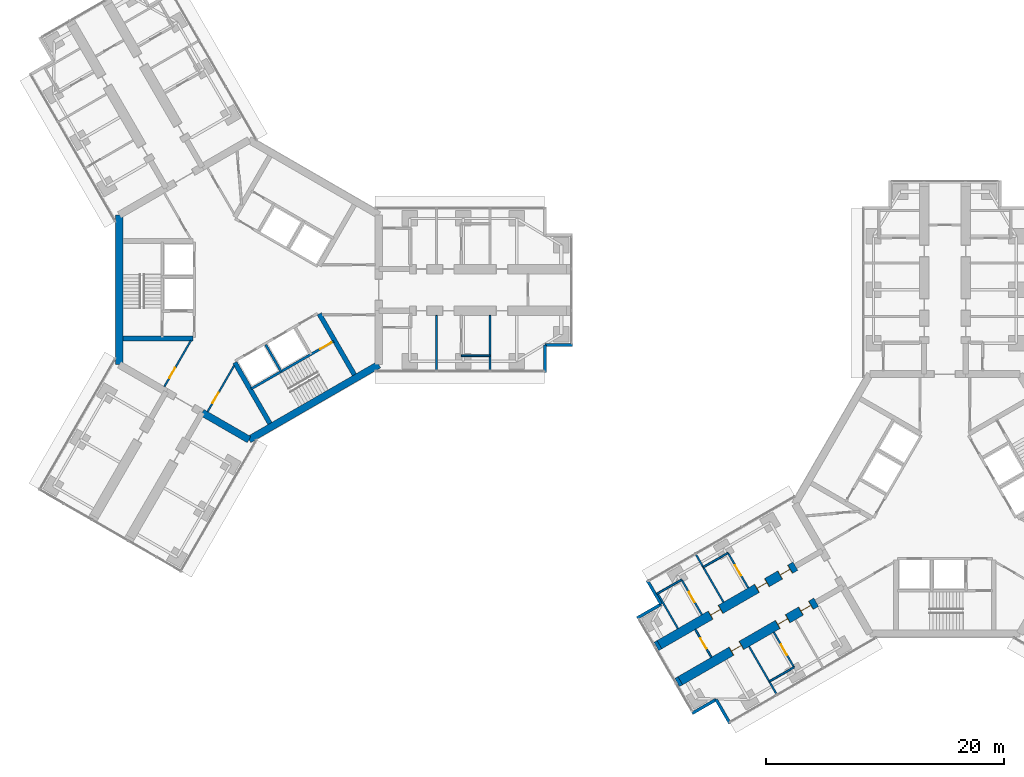
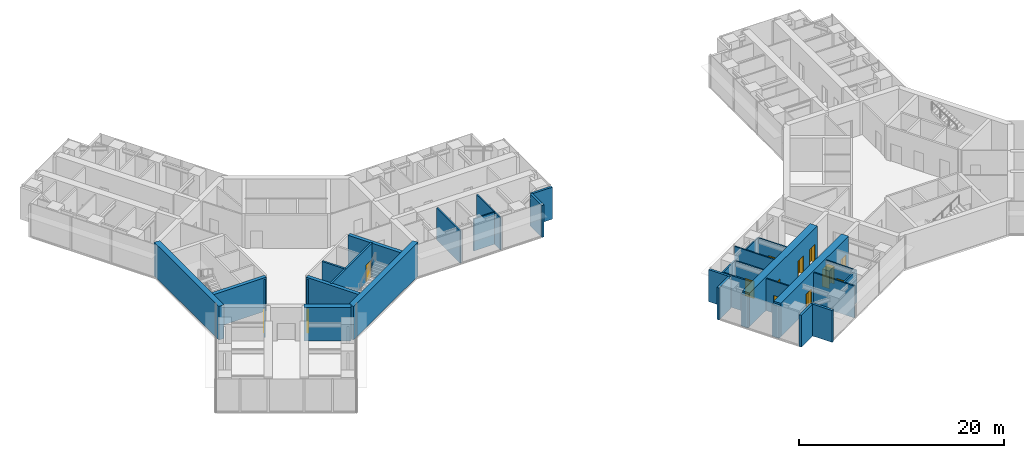
# One storey, part 15 of 22: 33 walls, 13 doors, 13 openings.
"""IFC4 building model written with IfcOpenShell, lengths in metres."""

from ifc_helpers import new_model, si_unit, direction, frame, frame_2d, origin, place, context, subcontext, project, spatial, rectangle, extrude, material, layer, layer_set, type_object, element, fill, save


model = new_model("IFC4")

# Units and contexts
model_context = context("Model", 3, precision=1e-05, world=origin(), true_north=direction((0.0, 1.0)))
body_context = subcontext(model_context, "Body", "Model", "MODEL_VIEW")
ifc_project = project(units=[si_unit("LENGTHUNIT", "METRE"), si_unit("AREAUNIT", "SQUARE_METRE"), si_unit("VOLUMEUNIT", "CUBIC_METRE"), si_unit("PLANEANGLEUNIT", "RADIAN"), si_unit("MASSUNIT", "GRAM", prefix="KILO")], contexts=[model_context])

# Site, building, storey
site_placement = place(None, origin())
site = spatial("IfcSite", under=ifc_project, at=site_placement, CompositionType="ELEMENT")
building_placement = place(site_placement, origin())
building = spatial("IfcBuilding", under=site, at=building_placement, Name="Upepo Twin Towers", CompositionType="ELEMENT")
storey_placement = place(building_placement, frame((0.0, 0.0, 137.5)))
storey = spatial("IfcBuildingStorey", under=building, at=storey_placement, Name="L33", CompositionType="ELEMENT", Elevation=137.5)

# Walls
ifc_material_1 = material(Name="Dense concrete blockwork", Category="masonry")
ifc_layer_1 = layer(ifc_material_1, 0.800048828125)
ifc_layer_set_1 = layer_set([ifc_layer_1], Name="Buttress closer 800, blockwork with fire-stopping to the curtain wall")
wall_type_1 = type_object("IfcWallType", Name="Buttress closer 800, blockwork with fire-stopping to the curtain wall", PredefinedType="PARTITIONING", material=ifc_layer_set_1)
wall_1_placement = place(storey_placement, frame((36.252197265625, -32.865478515625, 0.0), z_axis=(0.0, 0.0, 1.0), x_axis=(-0.865778900179, -0.500426713919, 0.0)))
element("IfcWall", 1, at=wall_1_placement, inside=storey, type_object=wall_type_1, Name="T2 L33 wing B buttress closer L", PredefinedType="PARTITIONING", context=body_context, shape_type="SweptSolid", body=[
    extrude(rectangle(XDim=0.300048828125, YDim=0.800048828125, at=frame_2d((0.14990234375, 0.0))), origin(), (0.0, 0.0, 1.0), 3.800048828125),
])
wall_2_placement = place(storey_placement, frame((34.502197265625, -29.83447265625, 0.0), z_axis=(0.0, 0.0, 1.0), x_axis=(-0.866131372301, -0.499816412211, 0.0)))
element("IfcWall", 2, at=wall_2_placement, inside=storey, type_object=wall_type_1, Name="T2 L33 wing B buttress closer R", PredefinedType="PARTITIONING", context=body_context, shape_type="SweptSolid", body=[
    extrude(rectangle(XDim=0.2998046875, YDim=0.800048828125, at=frame_2d((0.14990234375, 0.0))), origin(), (0.0, 0.0, 1.0), 3.800048828125),
])

# Wall, openings, doors
ifc_material_2 = material(Name="Concrete C60/75", Category="concrete")
ifc_layer_2 = layer(ifc_material_2, 0.800048828125)
ifc_layer_set_2 = layer_set([ifc_layer_2], Name="Concrete C60/75")
wall_type_2 = type_object("IfcWallType", Name="Buttress wall 800 RC", PredefinedType="SHEAR", material=ifc_layer_set_2)
wall_3_placement = place(storey_placement, frame((47.68359375, -26.265625, 0.0), z_axis=(0.0, 0.0, 1.0), x_axis=(-0.866027579429, -0.499996231654, 0.0)))
wall_3 = element("IfcWall", 3, at=wall_3_placement, inside=storey, type_object=wall_type_2, Name="T2 wing B buttress wall L part 2", PredefinedType="SHEAR", context=body_context, shape_type="SweptSolid", body=[
    extrude(rectangle(XDim=13.19970703125, YDim=0.800048828125, at=frame_2d((6.599853515625, 0.0))), origin(), (0.0, 0.0, 1.0), 4.0),
])
opening_1_placement = place(wall_3_placement, frame((0.5, 0.0, 0.0)))
opening_1 = element("IfcOpeningElement", 4, at=opening_1_placement, cuts=wall_3, Name="Opening D1", PredefinedType="OPENING", context=body_context, shape_type="SweptSolid", body=[
    extrude(rectangle(XDim=1.0, YDim=2.10009765625, at=frame_2d((0.5, 1.050048828125))), frame((0.0, 0.409912109375, 0.0), z_axis=(0.0, -1.0, 0.0), x_axis=(1.0, 0.0, 0.0)), (0.0, 0.0, 1.0), 0.820068359375),
])
opening_2_placement = place(wall_3_placement, frame((2.75, 0.0, 0.0)))
opening_2 = element("IfcOpeningElement", 5, at=opening_2_placement, cuts=wall_3, Name="Opening D1", PredefinedType="OPENING", context=body_context, shape_type="SweptSolid", body=[
    extrude(rectangle(XDim=1.0, YDim=2.10009765625, at=frame_2d((0.5, 1.050048828125))), frame((0.0, 0.409912109375, 0.0), z_axis=(0.0, -1.0, 0.0), x_axis=(1.0, 0.0, 0.0)), (0.0, 0.0, 1.0), 0.820068359375),
])
opening_3_placement = place(wall_3_placement, frame((7.25, 0.0, 0.0)))
opening_3 = element("IfcOpeningElement", 6, at=opening_3_placement, cuts=wall_3, Name="Opening D1", PredefinedType="OPENING", context=body_context, shape_type="SweptSolid", body=[
    extrude(rectangle(XDim=1.0, YDim=2.10009765625, at=frame_2d((0.5, 1.050048828125))), frame((0.0, 0.409912109375, 0.0), z_axis=(0.0, -1.0, 0.0), x_axis=(1.0, 0.0, 0.0)), (0.0, 0.0, 1.0), 0.820068359375),
])
ifc_material_3 = material(Name="Timber doorset", Category="wood")
door_type_1 = type_object("IfcDoorType", Name="Room door 1000 FD30", OperationType="SINGLE_SWING_LEFT", PredefinedType="DOOR", material=ifc_material_3)
door_1_placement = place(opening_1_placement, origin())
door_1 = element("IfcDoor", 7, at=door_1_placement, inside=storey, type_object=door_type_1, Name="T2 L33 tutorial room door", OperationType="SINGLE_SWING_LEFT", OverallHeight=2.10009765625, OverallWidth=1.0, PredefinedType="DOOR", context=body_context, shape_type="SweptSolid", body=[
    extrude(rectangle(XDim=0.92, YDim=2.06009765625, at=frame_2d((0.5, 1.030029296875))), frame((0.0, 0.02490234375, 0.0), z_axis=(0.0, -1.0, 0.0), x_axis=(1.0, 0.0, 0.0)), (0.0, 0.0, 1.0), 0.050048828125),
    extrude(rectangle(XDim=0.04, YDim=2.10009765625, at=frame_2d((0.02001953125, 1.050048828125))), frame((0.0, 0.39990234375, 0.0), z_axis=(0.0, -1.0, 0.0), x_axis=(1.0, 0.0, 0.0)), (0.0, 0.0, 1.0), 0.799560546875),
    extrude(rectangle(XDim=0.04, YDim=2.10009765625, at=frame_2d((0.97998046875, 1.050048828125))), frame((0.0, 0.39990234375, 0.0), z_axis=(0.0, -1.0, 0.0), x_axis=(1.0, 0.0, 0.0)), (0.0, 0.0, 1.0), 0.799560546875),
    extrude(rectangle(XDim=0.92, YDim=0.04, at=frame_2d((0.5, 2.080078125))), frame((0.0, 0.39990234375, 0.0), z_axis=(0.0, -1.0, 0.0), x_axis=(1.0, 0.0, 0.0)), (0.0, 0.0, 1.0), 0.799560546875),
])
fill(opening_1, door_1)
door_2_placement = place(opening_2_placement, origin())
door_2 = element("IfcDoor", 8, at=door_2_placement, inside=storey, type_object=door_type_1, Name="T2 L33 staff office door", OperationType="SINGLE_SWING_LEFT", OverallHeight=2.10009765625, OverallWidth=1.0, PredefinedType="DOOR", context=body_context, shape_type="SweptSolid", body=[
    extrude(rectangle(XDim=0.92, YDim=2.06009765625, at=frame_2d((0.5, 1.030029296875))), frame((0.0, 0.02490234375, 0.0), z_axis=(0.0, -1.0, 0.0), x_axis=(1.0, 0.0, 0.0)), (0.0, 0.0, 1.0), 0.050048828125),
    extrude(rectangle(XDim=0.04, YDim=2.10009765625, at=frame_2d((0.02001953125, 1.050048828125))), frame((0.0, 0.39990234375, 0.0), z_axis=(0.0, -1.0, 0.0), x_axis=(1.0, 0.0, 0.0)), (0.0, 0.0, 1.0), 0.799560546875),
    extrude(rectangle(XDim=0.04, YDim=2.10009765625, at=frame_2d((0.97998046875, 1.050048828125))), frame((0.0, 0.39990234375, 0.0), z_axis=(0.0, -1.0, 0.0), x_axis=(1.0, 0.0, 0.0)), (0.0, 0.0, 1.0), 0.799560546875),
    extrude(rectangle(XDim=0.92, YDim=0.04, at=frame_2d((0.5, 2.080078125))), frame((0.0, 0.39990234375, 0.0), z_axis=(0.0, -1.0, 0.0), x_axis=(1.0, 0.0, 0.0)), (0.0, 0.0, 1.0), 0.799560546875),
])
fill(opening_2, door_2)
door_3_placement = place(opening_3_placement, origin())
door_3 = element("IfcDoor", 9, at=door_3_placement, inside=storey, type_object=door_type_1, Name="T2 L33 seminar room door", OperationType="SINGLE_SWING_RIGHT", OverallHeight=2.10009765625, OverallWidth=1.0, PredefinedType="DOOR", context=body_context, shape_type="SweptSolid", body=[
    extrude(rectangle(XDim=0.92, YDim=2.06009765625, at=frame_2d((0.5, 1.030029296875))), frame((0.0, 0.02490234375, 0.0), z_axis=(0.0, -1.0, 0.0), x_axis=(1.0, 0.0, 0.0)), (0.0, 0.0, 1.0), 0.050048828125),
    extrude(rectangle(XDim=0.04, YDim=2.10009765625, at=frame_2d((0.02001953125, 1.050048828125))), frame((0.0, 0.39990234375, 0.0), z_axis=(0.0, -1.0, 0.0), x_axis=(1.0, 0.0, 0.0)), (0.0, 0.0, 1.0), 0.799560546875),
    extrude(rectangle(XDim=0.04, YDim=2.10009765625, at=frame_2d((0.97998046875, 1.050048828125))), frame((0.0, 0.39990234375, 0.0), z_axis=(0.0, -1.0, 0.0), x_axis=(1.0, 0.0, 0.0)), (0.0, 0.0, 1.0), 0.799560546875),
    extrude(rectangle(XDim=0.92, YDim=0.04, at=frame_2d((0.5, 2.080078125))), frame((0.0, 0.39990234375, 0.0), z_axis=(0.0, -1.0, 0.0), x_axis=(1.0, 0.0, 0.0)), (0.0, 0.0, 1.0), 0.799560546875),
])
fill(opening_3, door_3)

wall_4_placement = place(storey_placement, frame((45.93359375, -23.234375, 0.0), z_axis=(0.0, 0.0, 1.0), x_axis=(-0.866019570528, -0.500010103361, 0.0)))
wall_4 = element("IfcWall", 10, at=wall_4_placement, inside=storey, type_object=wall_type_2, Name="T2 wing B buttress wall R part 2", PredefinedType="SHEAR", context=body_context, shape_type="SweptSolid", body=[
    extrude(rectangle(XDim=13.199951171875, YDim=0.800048828125, at=frame_2d((6.60009765625, 0.0))), origin(), (0.0, 0.0, 1.0), 4.0),
])
opening_4_placement = place(wall_4_placement, frame((0.5, 0.0, 0.0)))
opening_4 = element("IfcOpeningElement", 11, at=opening_4_placement, cuts=wall_4, Name="Opening D1", PredefinedType="OPENING", context=body_context, shape_type="SweptSolid", body=[
    extrude(rectangle(XDim=1.0, YDim=2.10009765625, at=frame_2d((0.5, 1.050048828125))), frame((0.0, 0.409912109375, 0.0), z_axis=(0.0, -1.0, 0.0), x_axis=(1.0, 0.0, 0.0)), (0.0, 0.0, 1.0), 0.820068359375),
])
opening_5_placement = place(wall_4_placement, frame((2.75, 0.0, 0.0)))
opening_5 = element("IfcOpeningElement", 12, at=opening_5_placement, cuts=wall_4, Name="Opening D1", PredefinedType="OPENING", context=body_context, shape_type="SweptSolid", body=[
    extrude(rectangle(XDim=1.0, YDim=2.10009765625, at=frame_2d((0.5, 1.050048828125))), frame((0.0, 0.409912109375, 0.0), z_axis=(0.0, -1.0, 0.0), x_axis=(1.0, 0.0, 0.0)), (0.0, 0.0, 1.0), 0.820068359375),
])
opening_6_placement = place(wall_4_placement, frame((7.25, 0.0, 0.0)))
opening_6 = element("IfcOpeningElement", 13, at=opening_6_placement, cuts=wall_4, Name="Opening D1", PredefinedType="OPENING", context=body_context, shape_type="SweptSolid", body=[
    extrude(rectangle(XDim=1.0, YDim=2.10009765625, at=frame_2d((0.5, 1.050048828125))), frame((0.0, 0.409912109375, 0.0), z_axis=(0.0, -1.0, 0.0), x_axis=(1.0, 0.0, 0.0)), (0.0, 0.0, 1.0), 0.820068359375),
])
door_4_placement = place(opening_4_placement, origin())
door_4 = element("IfcDoor", 14, at=door_4_placement, inside=storey, type_object=door_type_1, Name="T2 L33 law clinic door", OperationType="SINGLE_SWING_LEFT", OverallHeight=2.10009765625, OverallWidth=1.0, PredefinedType="DOOR", context=body_context, shape_type="SweptSolid", body=[
    extrude(rectangle(XDim=0.92, YDim=2.06009765625, at=frame_2d((0.5, 1.030029296875))), frame((0.0, 0.02490234375, 0.0), z_axis=(0.0, -1.0, 0.0), x_axis=(1.0, 0.0, 0.0)), (0.0, 0.0, 1.0), 0.050048828125),
    extrude(rectangle(XDim=0.04, YDim=2.10009765625, at=frame_2d((0.02001953125, 1.050048828125))), frame((0.0, 0.39990234375, 0.0), z_axis=(0.0, -1.0, 0.0), x_axis=(1.0, 0.0, 0.0)), (0.0, 0.0, 1.0), 0.799560546875),
    extrude(rectangle(XDim=0.04, YDim=2.10009765625, at=frame_2d((0.97998046875, 1.050048828125))), frame((0.0, 0.39990234375, 0.0), z_axis=(0.0, -1.0, 0.0), x_axis=(1.0, 0.0, 0.0)), (0.0, 0.0, 1.0), 0.799560546875),
    extrude(rectangle(XDim=0.92, YDim=0.04, at=frame_2d((0.5, 2.080078125))), frame((0.0, 0.39990234375, 0.0), z_axis=(0.0, -1.0, 0.0), x_axis=(1.0, 0.0, 0.0)), (0.0, 0.0, 1.0), 0.799560546875),
])
fill(opening_4, door_4)
door_5_placement = place(opening_5_placement, origin())
door_5 = element("IfcDoor", 15, at=door_5_placement, inside=storey, type_object=door_type_1, Name="T2 L33 law clinic door", OperationType="SINGLE_SWING_LEFT", OverallHeight=2.10009765625, OverallWidth=1.0, PredefinedType="DOOR", context=body_context, shape_type="SweptSolid", body=[
    extrude(rectangle(XDim=0.92, YDim=2.06009765625, at=frame_2d((0.5, 1.030029296875))), frame((0.0, 0.02490234375, 0.0), z_axis=(0.0, -1.0, 0.0), x_axis=(1.0, 0.0, 0.0)), (0.0, 0.0, 1.0), 0.050048828125),
    extrude(rectangle(XDim=0.04, YDim=2.10009765625, at=frame_2d((0.02001953125, 1.050048828125))), frame((0.0, 0.39990234375, 0.0), z_axis=(0.0, -1.0, 0.0), x_axis=(1.0, 0.0, 0.0)), (0.0, 0.0, 1.0), 0.799560546875),
    extrude(rectangle(XDim=0.04, YDim=2.10009765625, at=frame_2d((0.97998046875, 1.050048828125))), frame((0.0, 0.39990234375, 0.0), z_axis=(0.0, -1.0, 0.0), x_axis=(1.0, 0.0, 0.0)), (0.0, 0.0, 1.0), 0.799560546875),
    extrude(rectangle(XDim=0.92, YDim=0.04, at=frame_2d((0.5, 2.080078125))), frame((0.0, 0.39990234375, 0.0), z_axis=(0.0, -1.0, 0.0), x_axis=(1.0, 0.0, 0.0)), (0.0, 0.0, 1.0), 0.799560546875),
])
fill(opening_5, door_5)
door_6_placement = place(opening_6_placement, origin())
door_6 = element("IfcDoor", 16, at=door_6_placement, inside=storey, type_object=door_type_1, Name="T2 L33 tutorial room door", OperationType="SINGLE_SWING_RIGHT", OverallHeight=2.10009765625, OverallWidth=1.0, PredefinedType="DOOR", context=body_context, shape_type="SweptSolid", body=[
    extrude(rectangle(XDim=0.92, YDim=2.06009765625, at=frame_2d((0.5, 1.030029296875))), frame((0.0, 0.02490234375, 0.0), z_axis=(0.0, -1.0, 0.0), x_axis=(1.0, 0.0, 0.0)), (0.0, 0.0, 1.0), 0.050048828125),
    extrude(rectangle(XDim=0.04, YDim=2.10009765625, at=frame_2d((0.02001953125, 1.050048828125))), frame((0.0, 0.39990234375, 0.0), z_axis=(0.0, -1.0, 0.0), x_axis=(1.0, 0.0, 0.0)), (0.0, 0.0, 1.0), 0.799560546875),
    extrude(rectangle(XDim=0.04, YDim=2.10009765625, at=frame_2d((0.97998046875, 1.050048828125))), frame((0.0, 0.39990234375, 0.0), z_axis=(0.0, -1.0, 0.0), x_axis=(1.0, 0.0, 0.0)), (0.0, 0.0, 1.0), 0.799560546875),
    extrude(rectangle(XDim=0.92, YDim=0.04, at=frame_2d((0.5, 2.080078125))), frame((0.0, 0.39990234375, 0.0), z_axis=(0.0, -1.0, 0.0), x_axis=(1.0, 0.0, 0.0)), (0.0, 0.0, 1.0), 0.799560546875),
])
fill(opening_6, door_6)

# Walls
ifc_material_4 = material(Name="Concrete C60/75", Category="concrete")
ifc_layer_3 = layer(ifc_material_4, 0.60009765625)
ifc_layer_set_3 = layer_set([ifc_layer_3], Name="Concrete C60/75")
wall_type_3 = type_object("IfcWallType", Name="Core wall 600 RC", PredefinedType="SHEAR", material=ifc_layer_set_3)
wall_5_placement = place(storey_placement, frame((-10.908447265625, 6.2978515625, 0.0), z_axis=(0.0, 0.0, 1.0), x_axis=(0.0, -1.0, 0.0)))
element("IfcWall", 17, at=wall_5_placement, inside=storey, type_object=wall_type_3, Name="T1 core wall 180", PredefinedType="SHEAR", context=body_context, shape_type="SweptSolid", body=[
    extrude(rectangle(XDim=12.595703125, YDim=0.60009765625, at=frame_2d((6.2978515625, 0.0))), origin(), (0.0, 0.0, 1.0), 4.0),
])
wall_6_placement = place(storey_placement, frame((-3.938720703125, -10.32177734375, 0.0), z_axis=(0.0, 0.0, 1.0), x_axis=(0.866011268655, -0.500024481964, 0.0)))
element("IfcWall", 18, at=wall_6_placement, inside=storey, type_object=wall_type_3, Name="T1 core wall 240 L", PredefinedType="SHEAR", context=body_context, shape_type="SweptSolid", body=[
    extrude(rectangle(XDim=4.548095703125, YDim=0.60009765625, at=frame_2d((2.27392578125, 0.0))), origin(), (0.0, 0.0, 1.0), 4.0),
])
wall_7_placement = place(storey_placement, frame((0.0, -12.595947265625, 0.0), z_axis=(0.0, 0.0, 1.0), x_axis=(0.866021940709, 0.500005998175, 0.0)))
element("IfcWall", 19, at=wall_7_placement, inside=storey, type_object=wall_type_3, Name="T1 core wall 300", PredefinedType="SHEAR", context=body_context, shape_type="SweptSolid", body=[
    extrude(rectangle(XDim=12.595947265625, YDim=0.60009765625, at=frame_2d((6.2978515625, 0.0))), origin(), (0.0, 0.0, 1.0), 4.0),
])
ifc_material_5 = material(Name="Blockwork with anodised aluminium cladding", Category="masonry")
ifc_layer_4 = layer(ifc_material_5, 0.25)
ifc_layer_set_4 = layer_set([ifc_layer_4], Name="Notch cladding wall 250, pale metal")
wall_type_4 = type_object("IfcWallType", Name="Notch cladding wall 250, pale metal", PredefinedType="STANDARD", material=ifc_layer_set_4)
for number, where, z_axis, x_axis, name in (
    (20, (24.875, -6.949951171875, 0.0), (0.0, 0.0, 1.0), (0.0, 1.0, 0.0), "T1 L33 wing A notch wall R1"),
    (21, (24.875, -4.625, 0.0), (0.0, 0.0, 1.0), (1.0, 0.0, 0.0), "T1 L33 wing A notch wall R2"),
    (22, (40.4326171875, -36.456298828125, 0.0), (0.0, 0.0, 1.0), (-0.500046648681, 0.865998469481, 0.0), "T2 L33 wing B notch wall L1"),
    (23, (39.27001953125, -34.44287109375, 0.0), (0.0, 0.0, 1.0), (-0.865998469481, -0.500046648681, 0.0), "T2 L33 wing B notch wall L2"),
    (24, (33.482666015625, -24.418701171875, 0.0), (0.0, 0.0, 1.0), (0.499967891604, -0.866043940782, 0.0), "T2 L33 wing B notch wall R1"),
    (25, (34.64501953125, -26.43212890625, 0.0), (0.0, 0.0, 1.0), (-0.865998469481, -0.500046648681, 0.0), "T2 L33 wing B notch wall R2"),
):
    element("IfcWall", number, at=place(storey_placement, frame(where, z_axis=z_axis, x_axis=x_axis)), inside=storey, type_object=wall_type_4, Name=name, PredefinedType="STANDARD", context=body_context, shape_type="SweptSolid", body=[
        extrude(rectangle(XDim=2.324951171875, YDim=0.25, at=frame_2d((1.16259765625, 0.0))), origin(), (0.0, 0.0, 1.0), 3.800048828125),
    ])
ifc_material_6 = material(Name="Concrete C40/50", Category="concrete")
ifc_layer_5 = layer(ifc_material_6, 0.199951171875)
ifc_layer_set_5 = layer_set([ifc_layer_5], Name="Concrete C40/50")
wall_type_5 = type_object("IfcWallType", Name="Shaft wall 200 RC", PredefinedType="SHEAR", material=ifc_layer_set_5)
wall_8_placement = place(storey_placement, frame((1.3974609375, -4.620361328125, 0.0), z_axis=(0.0, 0.0, 1.0), x_axis=(0.499936506574, -0.866062058628, 0.0)))
element("IfcWall", 26, at=wall_8_placement, inside=storey, type_object=wall_type_5, Name="T1 core W300 shaft divider", PredefinedType="SHEAR", context=body_context, shape_type="SweptSolid", body=[
    extrude(rectangle(XDim=2.599853515625, YDim=0.199951171875, at=frame_2d((1.2998046875, 0.0))), origin(), (0.0, 0.0, 1.0), 4.0),
])

# Wall, opening, door
wall_9_placement = place(storey_placement, frame((0.185791015625, -8.322021484375, 0.0), z_axis=(0.0, 0.0, 1.0), x_axis=(0.866026010844, 0.49999894854, 0.0)))
wall_9 = element("IfcWall", 27, at=wall_9_placement, inside=storey, type_object=wall_type_5, Name="T1 core W300 stair wall", PredefinedType="SHEAR", context=body_context, shape_type="SweptSolid", body=[
    extrude(rectangle(XDim=8.0, YDim=0.199951171875, at=frame_2d((4.0, 0.0))), origin(), (0.0, 0.0, 1.0), 4.0),
])
opening_7_placement = place(wall_9_placement, frame((6.699951171875, 0.0, 0.0)))
opening_7 = element("IfcOpeningElement", 28, at=opening_7_placement, cuts=wall_9, Name="Opening D3", PredefinedType="OPENING", context=body_context, shape_type="SweptSolid", body=[
    extrude(rectangle(XDim=1.10009765625, YDim=2.10009765625, at=frame_2d((0.550048828125, 1.050048828125))), frame((0.0, 0.10986328125, 0.0), z_axis=(0.0, -1.0, 0.0), x_axis=(1.0, 0.0, 0.0)), (0.0, 0.0, 1.0), 0.219970703125),
])
ifc_material_7 = material(Name="Timber doorset", Category="wood")
door_type_2 = type_object("IfcDoorType", Name="Stair door 1100 FD60", OperationType="SINGLE_SWING_LEFT", PredefinedType="DOOR", material=ifc_material_7)
door_7_placement = place(opening_7_placement, origin())
door_7 = element("IfcDoor", 29, at=door_7_placement, inside=storey, type_object=door_type_2, Name="T1 L33 stair door", OperationType="SINGLE_SWING_RIGHT", OverallHeight=2.10009765625, OverallWidth=1.10009765625, PredefinedType="DOOR", context=body_context, shape_type="SweptSolid", body=[
    extrude(rectangle(XDim=1.10009765625, YDim=2.10009765625, at=frame_2d((0.550048828125, 1.050048828125))), frame((0.0, 0.02490234375, 0.0), z_axis=(0.0, -1.0, 0.0), x_axis=(1.0, 0.0, 0.0)), (0.0, 0.0, 1.0), 0.050048828125),
])
fill(opening_7, door_7)

# Walls
ifc_material_8 = material(Name="Concrete C40/50", Category="concrete")
ifc_layer_6 = layer(ifc_material_8, 0.39990234375)
ifc_layer_set_6 = layer_set([ifc_layer_6], Name="Concrete C40/50")
wall_type_6 = type_object("IfcWallType", Name="Shaft wall 400 RC", PredefinedType="SHEAR", material=ifc_layer_set_6)
for number, where, z_axis, x_axis, name in (
    (30, (-4.699951171875, -4.10009765625, 0.0), (0.0, 0.0, 1.0), (-1.0, 0.0, 0.0), "T1 core W180 side wall N"),
    (31, (5.900634765625, -2.020263671875, 0.0), (0.0, 0.0, 1.0), (0.500027676417, -0.866009424208, 0.0), "T1 core W300 side wall N"),
):
    element("IfcWall", number, at=place(storey_placement, frame(where, z_axis=z_axis, x_axis=x_axis)), inside=storey, type_object=wall_type_6, Name=name, PredefinedType="SHEAR", context=body_context, shape_type="SweptSolid", body=[
        extrude(rectangle(XDim=5.908447265625, YDim=0.39990234375, at=frame_2d((2.9541015625, 0.0))), origin(), (0.0, 0.0, 1.0), 4.0),
    ])
wall_10_placement = place(storey_placement, frame((-1.20068359375, -6.120361328125, 0.0), z_axis=(0.0, 0.0, 1.0), x_axis=(0.49999668571, -0.866027317282, 0.0)))
element("IfcWall", 32, at=wall_10_placement, inside=storey, type_object=wall_type_6, Name="T1 core W300 side wall S", PredefinedType="SHEAR", context=body_context, shape_type="SweptSolid", body=[
    extrude(rectangle(XDim=5.908203125, YDim=0.39990234375, at=frame_2d((2.9541015625, 0.0))), origin(), (0.0, 0.0, 1.0), 4.0),
])
ifc_material_9 = material(Name="Gypsum board on steel studs", Category="steel")
ifc_layer_7 = layer(ifc_material_9, 0.14990234375)
ifc_layer_set_7 = layer_set([ifc_layer_7], Name="Teaching partition 150 acoustic")
wall_type_7 = type_object("IfcWallType", Name="Teaching partition 150 acoustic", PredefinedType="PARTITIONING", material=ifc_layer_set_7)
for number, where, z_axis, x_axis, name in (
    (33, (15.75, -2.14990234375, 0.0), (0.0, 0.0, 1.0), (0.0, -1.0, 0.0), "T1 partition AR at 15.75"),
    (34, (20.25, -2.14990234375, 0.0), (0.0, 0.0, 1.0), (0.0, -1.0, 0.0), "T1 partition AR at 20.25"),
):
    element("IfcWall", number, at=place(storey_placement, frame(where, z_axis=z_axis, x_axis=x_axis)), inside=storey, type_object=wall_type_7, Name=name, PredefinedType="PARTITIONING", context=body_context, shape_type="SweptSolid", body=[
        extrude(rectangle(XDim=4.60009765625, YDim=0.14990234375, at=frame_2d((2.300048828125, 0.0))), origin(), (0.0, 0.0, 1.0), 3.800048828125),
    ])
wall_11_placement = place(storey_placement, frame((17.85009765625, -5.550048828125, 0.0), z_axis=(0.0, 0.0, 1.0), x_axis=(1.0, 0.0, 0.0)))
element("IfcWall", 35, at=wall_11_placement, inside=storey, type_object=wall_type_7, Name="T1 inner room partition AR at 17.85", PredefinedType="PARTITIONING", context=body_context, shape_type="SweptSolid", body=[
    extrude(rectangle(XDim=2.39990234375, YDim=0.14990234375, at=frame_2d((1.199951171875, 0.0))), origin(), (0.0, 0.0, 1.0), 3.800048828125),
])

# Wall, opening, door
wall_12_placement = place(storey_placement, frame((-1.252685546875, -6.36962890625, 0.0), z_axis=(0.0, 0.0, 1.0), x_axis=(-0.499999473313, -0.866025707867, 0.0)))
wall_12 = element("IfcWall", 36, at=wall_12_placement, inside=storey, type_object=wall_type_7, Name="T1 core room partition 1", PredefinedType="PARTITIONING", context=body_context, shape_type="SweptSolid", body=[
    extrude(rectangle(XDim=4.4755859375, YDim=0.14990234375, at=frame_2d((2.23779296875, 0.0))), origin(), (0.0, 0.0, 1.0), 3.800048828125),
])
opening_8_placement = place(wall_12_placement, frame((2.633056640625, 0.0, 0.0)))
opening_8 = element("IfcOpeningElement", 37, at=opening_8_placement, cuts=wall_12, Name="Opening D1", PredefinedType="OPENING", context=body_context, shape_type="SweptSolid", body=[
    extrude(rectangle(XDim=1.0, YDim=2.10009765625, at=frame_2d((0.5, 1.050048828125))), frame((0.0, 0.0849609375, 0.0), z_axis=(0.0, -1.0, 0.0), x_axis=(1.0, 0.0, 0.0)), (0.0, 0.0, 1.0), 0.169921875),
])
door_8_placement = place(opening_8_placement, origin())
door_8 = element("IfcDoor", 38, at=door_8_placement, inside=storey, type_object=door_type_1, Name="T1 L33 core room door K2", OperationType="SINGLE_SWING_RIGHT", OverallHeight=2.10009765625, OverallWidth=1.0, PredefinedType="DOOR", context=body_context, shape_type="SweptSolid", body=[
    extrude(rectangle(XDim=1.0, YDim=2.10009765625, at=frame_2d((0.5, 1.050048828125))), frame((0.0, 0.02490234375, 0.0), z_axis=(0.0, -1.0, 0.0), x_axis=(1.0, 0.0, 0.0)), (0.0, 0.0, 1.0), 0.050048828125),
])
fill(opening_8, door_8)

wall_13_placement = place(storey_placement, frame((-7.127685546875, -8.145751953125, 0.0), z_axis=(0.0, 0.0, 1.0), x_axis=(0.499999473313, 0.866025707867, 0.0)))
wall_13 = element("IfcWall", 39, at=wall_13_placement, inside=storey, type_object=wall_type_7, Name="T1 core room partition 2", PredefinedType="PARTITIONING", context=body_context, shape_type="SweptSolid", body=[
    extrude(rectangle(XDim=4.4755859375, YDim=0.14990234375, at=frame_2d((2.23779296875, 0.0))), origin(), (0.0, 0.0, 1.0), 3.800048828125),
])
opening_9_placement = place(wall_13_placement, frame((0.8427734375, 0.0, 0.0)))
opening_9 = element("IfcOpeningElement", 40, at=opening_9_placement, cuts=wall_13, Name="Opening D1", PredefinedType="OPENING", context=body_context, shape_type="SweptSolid", body=[
    extrude(rectangle(XDim=1.0, YDim=2.10009765625, at=frame_2d((0.5, 1.050048828125))), frame((0.0, 0.0849609375, 0.0), z_axis=(0.0, -1.0, 0.0), x_axis=(1.0, 0.0, 0.0)), (0.0, 0.0, 1.0), 0.169921875),
])
door_9_placement = place(opening_9_placement, origin())
door_9 = element("IfcDoor", 41, at=door_9_placement, inside=storey, type_object=door_type_1, Name="T1 L33 core room door K1", OperationType="SINGLE_SWING_LEFT", OverallHeight=2.10009765625, OverallWidth=1.0, PredefinedType="DOOR", context=body_context, shape_type="SweptSolid", body=[
    extrude(rectangle(XDim=1.0, YDim=2.10009765625, at=frame_2d((0.5, 1.050048828125))), frame((0.0, 0.02490234375, 0.0), z_axis=(0.0, -1.0, 0.0), x_axis=(1.0, 0.0, 0.0)), (0.0, 0.0, 1.0), 0.050048828125),
])
fill(opening_9, door_9)

# Walls
wall_14_placement = place(storey_placement, frame((42.0380859375, -29.987060546875, 0.0), z_axis=(0.0, 0.0, 1.0), x_axis=(0.499975146636, -0.866039752405, 0.0)))
element("IfcWall", 42, at=wall_14_placement, inside=storey, type_object=wall_type_7, Name="T2 partition BL at 20.25", PredefinedType="PARTITIONING", context=body_context, shape_type="SweptSolid", body=[
    extrude(rectangle(XDim=4.599853515625, YDim=0.14990234375, at=frame_2d((2.2998046875, 0.0))), origin(), (0.0, 0.0, 1.0), 3.800048828125),
])
wall_15_placement = place(storey_placement, frame((45.81640625, -31.7314453125, 0.0), z_axis=(0.0, 0.0, 1.0), x_axis=(-0.866024647952, -0.500001309137, 0.0)))
element("IfcWall", 43, at=wall_15_placement, inside=storey, type_object=wall_type_7, Name="T2 inner room partition BL at 17.85", PredefinedType="PARTITIONING", context=body_context, shape_type="SweptSolid", body=[
    extrude(rectangle(XDim=2.39990234375, YDim=0.14990234375, at=frame_2d((1.199951171875, 0.0))), origin(), (0.0, 0.0, 1.0), 3.800048828125),
])

# Wall, opening, door
wall_16_placement = place(storey_placement, frame((44.116455078125, -28.786865234375, 0.0), z_axis=(0.0, 0.0, 1.0), x_axis=(0.499977295307, -0.866038511948, 0.0)))
wall_16 = element("IfcWall", 44, at=wall_16_placement, inside=storey, type_object=wall_type_7, Name="T2 inner room partition BL end at 17.85", PredefinedType="PARTITIONING", context=body_context, shape_type="SweptSolid", body=[
    extrude(rectangle(XDim=3.400146484375, YDim=0.14990234375, at=frame_2d((1.7001953125, 0.0))), origin(), (0.0, 0.0, 1.0), 3.800048828125),
])
opening_10_placement = place(wall_16_placement, frame((1.199951171875, 0.0, 0.0)))
opening_10 = element("IfcOpeningElement", 45, at=opening_10_placement, cuts=wall_16, Name="Opening D1", PredefinedType="OPENING", context=body_context, shape_type="SweptSolid", body=[
    extrude(rectangle(XDim=1.0, YDim=2.10009765625, at=frame_2d((0.5, 1.050048828125))), frame((0.0, 0.0849609375, 0.0), z_axis=(0.0, -1.0, 0.0), x_axis=(1.0, 0.0, 0.0)), (0.0, 0.0, 1.0), 0.169921875),
])
door_10_placement = place(opening_10_placement, origin())
door_10 = element("IfcDoor", 46, at=door_10_placement, inside=storey, type_object=door_type_1, Name="T2 L33 inner room door", OperationType="SINGLE_SWING_LEFT", OverallHeight=2.10009765625, OverallWidth=1.0, PredefinedType="DOOR", context=body_context, shape_type="SweptSolid", body=[
    extrude(rectangle(XDim=1.0, YDim=2.10009765625, at=frame_2d((0.5, 1.050048828125))), frame((0.0, 0.02490234375, 0.0), z_axis=(0.0, -1.0, 0.0), x_axis=(1.0, 0.0, 0.0)), (0.0, 0.0, 1.0), 0.050048828125),
])
fill(opening_10, door_10)

# Walls
wall_17_placement = place(storey_placement, frame((39.887939453125, -26.262939453125, 0.0), z_axis=(0.0, 0.0, 1.0), x_axis=(-0.500014953309, 0.866016770315, 0.0)))
element("IfcWall", 47, at=wall_17_placement, inside=storey, type_object=wall_type_7, Name="T2 partition BR at 20.25", PredefinedType="PARTITIONING", context=body_context, shape_type="SweptSolid", body=[
    extrude(rectangle(XDim=4.599853515625, YDim=0.14990234375, at=frame_2d((2.2998046875, 0.0))), origin(), (0.0, 0.0, 1.0), 3.800048828125),
])
wall_18_placement = place(storey_placement, frame((40.266357421875, -22.11865234375, 0.0), z_axis=(0.0, 0.0, 1.0), x_axis=(-0.866024647952, -0.500001309137, 0.0)))
element("IfcWall", 48, at=wall_18_placement, inside=storey, type_object=wall_type_7, Name="T2 inner room partition BR at 17.85", PredefinedType="PARTITIONING", context=body_context, shape_type="SweptSolid", body=[
    extrude(rectangle(XDim=2.39990234375, YDim=0.14990234375, at=frame_2d((1.199951171875, 0.0))), origin(), (0.0, 0.0, 1.0), 3.800048828125),
])

# Wall, opening, door
wall_19_placement = place(storey_placement, frame((41.966552734375, -25.06298828125, 0.0), z_axis=(0.0, 0.0, 1.0), x_axis=(-0.500062241894, 0.865989465428, 0.0)))
wall_19 = element("IfcWall", 49, at=wall_19_placement, inside=storey, type_object=wall_type_7, Name="T2 inner room partition BR end at 17.85", PredefinedType="PARTITIONING", context=body_context, shape_type="SweptSolid", body=[
    extrude(rectangle(XDim=3.39990234375, YDim=0.14990234375, at=frame_2d((1.699951171875, 0.0))), origin(), (0.0, 0.0, 1.0), 3.800048828125),
])
opening_11_placement = place(wall_19_placement, frame((1.199951171875, 0.0, 0.0)))
opening_11 = element("IfcOpeningElement", 50, at=opening_11_placement, cuts=wall_19, Name="Opening D1", PredefinedType="OPENING", context=body_context, shape_type="SweptSolid", body=[
    extrude(rectangle(XDim=1.0, YDim=2.10009765625, at=frame_2d((0.5, 1.050048828125))), frame((0.0, 0.0849609375, 0.0), z_axis=(0.0, -1.0, 0.0), x_axis=(1.0, 0.0, 0.0)), (0.0, 0.0, 1.0), 0.169921875),
])
door_11_placement = place(opening_11_placement, origin())
door_11 = element("IfcDoor", 51, at=door_11_placement, inside=storey, type_object=door_type_1, Name="T2 L33 inner room door", OperationType="SINGLE_SWING_LEFT", OverallHeight=2.10009765625, OverallWidth=1.0, PredefinedType="DOOR", context=body_context, shape_type="SweptSolid", body=[
    extrude(rectangle(XDim=1.0, YDim=2.10009765625, at=frame_2d((0.5, 1.050048828125))), frame((0.0, 0.02490234375, 0.0), z_axis=(0.0, -1.0, 0.0), x_axis=(1.0, 0.0, 0.0)), (0.0, 0.0, 1.0), 0.050048828125),
])
fill(opening_11, door_11)

# Wall
wall_20_placement = place(storey_placement, frame((36.369384765625, -24.36865234375, 0.0), z_axis=(0.0, 0.0, 1.0), x_axis=(-0.866050077142, -0.499957262057, 0.0)))
element("IfcWall", 52, at=wall_20_placement, inside=storey, type_object=wall_type_7, Name="T2 inner room partition BR at 22.35", PredefinedType="PARTITIONING", context=body_context, shape_type="SweptSolid", body=[
    extrude(rectangle(XDim=2.400146484375, YDim=0.14990234375, at=frame_2d((1.2001953125, 0.0))), origin(), (0.0, 0.0, 1.0), 3.800048828125),
])

# Wall, opening, door
wall_21_placement = place(storey_placement, frame((38.0693359375, -27.31298828125, 0.0), z_axis=(0.0, 0.0, 1.0), x_axis=(-0.500008388397, 0.866020560687, 0.0)))
wall_21 = element("IfcWall", 53, at=wall_21_placement, inside=storey, type_object=wall_type_7, Name="T2 inner room partition BR end at 22.35", PredefinedType="PARTITIONING", context=body_context, shape_type="SweptSolid", body=[
    extrude(rectangle(XDim=3.39990234375, YDim=0.14990234375, at=frame_2d((1.699951171875, 0.0))), origin(), (0.0, 0.0, 1.0), 3.800048828125),
])
opening_12_placement = place(wall_21_placement, frame((1.199951171875, 0.0, 0.0)))
opening_12 = element("IfcOpeningElement", 54, at=opening_12_placement, cuts=wall_21, Name="Opening D1", PredefinedType="OPENING", context=body_context, shape_type="SweptSolid", body=[
    extrude(rectangle(XDim=1.0, YDim=2.10009765625, at=frame_2d((0.5, 1.050048828125))), frame((0.0, 0.0849609375, 0.0), z_axis=(0.0, -1.0, 0.0), x_axis=(1.0, 0.0, 0.0)), (0.0, 0.0, 1.0), 0.169921875),
])
door_12_placement = place(opening_12_placement, origin())
door_12 = element("IfcDoor", 55, at=door_12_placement, inside=storey, type_object=door_type_1, Name="T2 L33 inner room door", OperationType="SINGLE_SWING_LEFT", OverallHeight=2.10009765625, OverallWidth=1.0, PredefinedType="DOOR", context=body_context, shape_type="SweptSolid", body=[
    extrude(rectangle(XDim=1.0, YDim=2.10009765625, at=frame_2d((0.5, 1.050048828125))), frame((0.0, 0.02490234375, 0.0), z_axis=(0.0, -1.0, 0.0), x_axis=(1.0, 0.0, 0.0)), (0.0, 0.0, 1.0), 0.050048828125),
])
fill(opening_12, door_12)

# Wall
wall_22_placement = place(storey_placement, frame((36.055908203125, -28.4755859375, 0.0), z_axis=(0.0, 0.0, 1.0), x_axis=(-0.500031147688, 0.866007419912, 0.0)))
element("IfcWall", 56, at=wall_22_placement, inside=storey, type_object=wall_type_7, Name="T2 inner room partition BR end at 24.75", PredefinedType="PARTITIONING", context=body_context, shape_type="SweptSolid", body=[
    extrude(rectangle(XDim=3.400146484375, YDim=0.14990234375, at=frame_2d((1.7001953125, 0.0))), origin(), (0.0, 0.0, 1.0), 3.800048828125),
])

# Wall, opening, door
wall_23_placement = place(storey_placement, frame((37.5166015625, -28.555908203125, 0.0), z_axis=(0.0, 0.0, 1.0), x_axis=(0.500048589285, -0.86599734893, 0.0)))
wall_23 = element("IfcWall", 57, at=wall_23_placement, inside=storey, type_object=wall_type_7, Name="T2 corridor end partition B at 23.45", PredefinedType="PARTITIONING", context=body_context, shape_type="SweptSolid", body=[
    extrude(rectangle(XDim=2.699951171875, YDim=0.14990234375, at=frame_2d((1.35009765625, 0.0))), origin(), (0.0, 0.0, 1.0), 3.800048828125),
])
opening_13_placement = place(wall_23_placement, frame((0.85009765625, 0.0, 0.0)))
opening_13 = element("IfcOpeningElement", 58, at=opening_13_placement, cuts=wall_23, Name="Opening D1", PredefinedType="OPENING", context=body_context, shape_type="SweptSolid", body=[
    extrude(rectangle(XDim=1.0, YDim=2.10009765625, at=frame_2d((0.5, 1.050048828125))), frame((0.0, 0.0849609375, 0.0), z_axis=(0.0, -1.0, 0.0), x_axis=(1.0, 0.0, 0.0)), (0.0, 0.0, 1.0), 0.169921875),
])
door_13_placement = place(opening_13_placement, origin())
door_13 = element("IfcDoor", 59, at=door_13_placement, inside=storey, type_object=door_type_1, Name="T2 L33 breakout study room door", OperationType="SINGLE_SWING_RIGHT", OverallHeight=2.10009765625, OverallWidth=1.0, PredefinedType="DOOR", context=body_context, shape_type="SweptSolid", body=[
    extrude(rectangle(XDim=1.0, YDim=2.10009765625, at=frame_2d((0.5, 1.050048828125))), frame((0.0, 0.02490234375, 0.0), z_axis=(0.0, -1.0, 0.0), x_axis=(1.0, 0.0, 0.0)), (0.0, 0.0, 1.0), 0.050048828125),
])
fill(opening_13, door_13)

save(model, "model.ifc")
